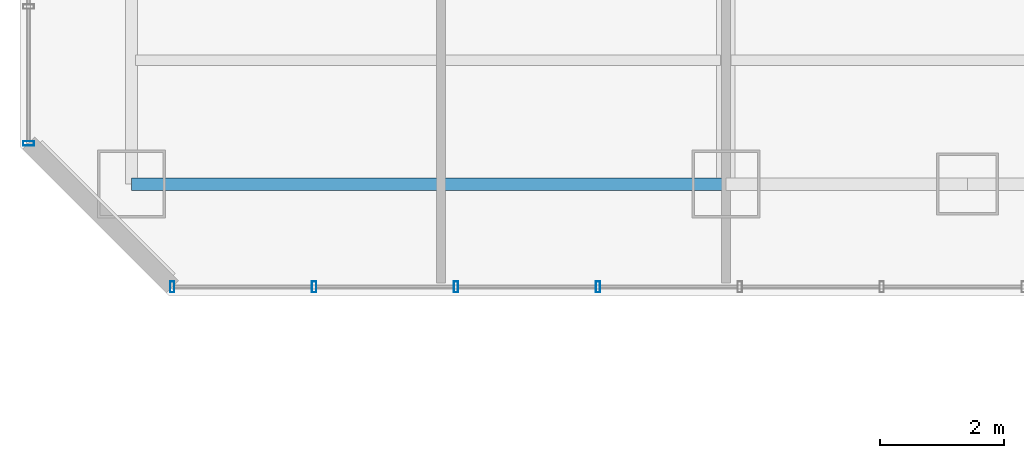
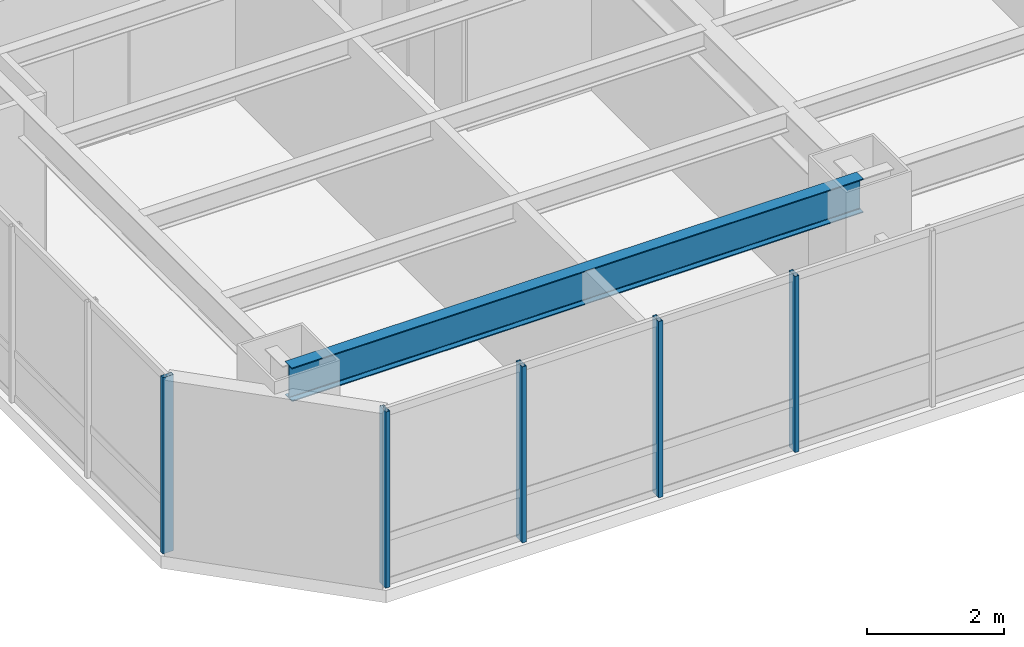
# One storey, part 2 of 37: 5 members, 1 beam, 2 elements without a shape of their own.
"""IFC4 building model written with IfcOpenShell, lengths in metres."""

from ifc_helpers import new_model, si_unit, direction, frame, origin, origin_2d, place, context, subcontext, project, spatial, hollow_rectangle, i_section, extrude, material, layer, layer_set, material_profile, profile_set, type_object, element, aggregate, save


model = new_model("IFC4")

# Units and contexts
model_context = context("Model", 3, precision=1e-05, world=origin(), true_north=direction((0.0, 1.0)))
body_context = subcontext(model_context, "Body", "Model", "MODEL_VIEW")
ifc_project = project(units=[si_unit("LENGTHUNIT", "METRE"), si_unit("AREAUNIT", "SQUARE_METRE"), si_unit("VOLUMEUNIT", "CUBIC_METRE"), si_unit("PLANEANGLEUNIT", "RADIAN"), si_unit("MASSUNIT", "GRAM", prefix="KILO")], contexts=[model_context])

# Site, building, storey
site_placement = place(None, origin())
site = spatial("IfcSite", under=ifc_project, at=site_placement, CompositionType="ELEMENT")
building_placement = place(site_placement, origin())
building = spatial("IfcBuilding", under=site, at=building_placement, Name="Hatsunagi Terrace Concourse", CompositionType="ELEMENT")
storey_placement = place(building_placement, frame((0.0, 0.0, 50.0)))
storey = spatial("IfcBuildingStorey", under=building, at=storey_placement, Name="L12", CompositionType="ELEMENT", Elevation=50.0)

# Curtain wall, members
ifc_material_1 = material(Name="Anodised Aluminium Alloy 6063-T5", Category="aluminium")
ifc_layer = layer(ifc_material_1, 0.199951171875)
ifc_layer_set = layer_set([ifc_layer], Name="HotelFacade_CW02")
curtain_wall_type = type_object("IfcCurtainWallType", Name="HotelFacade_CW02", PredefinedType="NOTDEFINED", material=ifc_layer_set)
curtain_wall_1_placement = place(storey_placement, origin())
curtain_wall_1 = element("IfcCurtainWall", 1, at=curtain_wall_1_placement, inside=storey, type_object=curtain_wall_type, Name="Unitised Curtain Wall CW-02 CW-L12-07", PredefinedType="NOTDEFINED")
ifc_material_2 = material(Name="Anodised Aluminium Alloy 6063-T5", Category="aluminium")
ifc_material_profile_1 = material_profile(ifc_material_2, hollow_rectangle(XDim=0.070068359375, YDim=0.179931640625, WallThickness=0.00390625, at=origin_2d()), Name="ALU-MUL-180x70x4")
ifc_profile_set_1 = profile_set([ifc_material_profile_1], Name="Anodised Aluminium Alloy 6063-T5")
member_type = type_object("IfcMemberType", Name="CurtainWallMullion_180x70", PredefinedType="MULLION", material=ifc_profile_set_1)
member_1_placement = place(storey_placement, frame((9.3330078125, 23.5400390625, 0.0), z_axis=(0.0, 0.0, 1.0), x_axis=(-1.0, 0.0, 0.0)))
member_1 = element("IfcMember", 2, at=member_1_placement, type_object=member_type, Name="Curtain Wall Mullion MUL-02", PredefinedType="MULLION", context=body_context, shape_type="SweptSolid", body=[
    extrude(hollow_rectangle(XDim=0.070068359375, YDim=0.179931640625, WallThickness=0.00390625, at=origin_2d()), origin(), (0.0, 0.0, 1.0), 3.1298828125),
])
member_2_placement = place(storey_placement, frame((7.041015625, 23.5400390625, 0.0), z_axis=(0.0, 0.0, 1.0), x_axis=(-1.0, 0.0, 0.0)))
member_2 = element("IfcMember", 3, at=member_2_placement, type_object=member_type, Name="Curtain Wall Mullion MUL-02", PredefinedType="MULLION", context=body_context, shape_type="SweptSolid", body=[
    extrude(hollow_rectangle(XDim=0.070068359375, YDim=0.179931640625, WallThickness=0.00390625, at=origin_2d()), origin(), (0.0, 0.0, 1.0), 3.1298828125),
])
member_3_placement = place(storey_placement, frame((4.75, 23.5400390625, 0.0), z_axis=(0.0, 0.0, 1.0), x_axis=(-1.0, 0.0, 0.0)))
member_3 = element("IfcMember", 4, at=member_3_placement, type_object=member_type, Name="Curtain Wall Mullion MUL-02", PredefinedType="MULLION", context=body_context, shape_type="SweptSolid", body=[
    extrude(hollow_rectangle(XDim=0.070068359375, YDim=0.179931640625, WallThickness=0.00390625, at=origin_2d()), origin(), (0.0, 0.0, 1.0), 3.1298828125),
])
member_4_placement = place(storey_placement, frame((2.4580078125, 23.5400390625, 0.0), z_axis=(0.0, 0.0, 1.0), x_axis=(-1.0, 0.0, 0.0)))
member_4 = element("IfcMember", 5, at=member_4_placement, type_object=member_type, Name="Curtain Wall Mullion MUL-02", PredefinedType="MULLION", context=body_context, shape_type="SweptSolid", body=[
    extrude(hollow_rectangle(XDim=0.070068359375, YDim=0.179931640625, WallThickness=0.00390625, at=origin_2d()), origin(), (0.0, 0.0, 1.0), 3.1298828125),
])
aggregate(curtain_wall_1, [member_1, member_2, member_3, member_4])

# Curtain wall, member
curtain_wall_2_placement = place(storey_placement, origin())
curtain_wall_2 = element("IfcCurtainWall", 6, at=curtain_wall_2_placement, inside=storey, type_object=curtain_wall_type, Name="Unitised Curtain Wall CW-02 CW-L12-09", PredefinedType="NOTDEFINED")
member_5_placement = place(storey_placement, frame((0.139892578125, 25.85791015625, 0.0), z_axis=(0.0, 0.0, 1.0), x_axis=(0.0, 1.0, 0.0)))
member_5 = element("IfcMember", 7, at=member_5_placement, type_object=member_type, Name="Curtain Wall Mullion MUL-02", PredefinedType="MULLION", context=body_context, shape_type="SweptSolid", body=[
    extrude(hollow_rectangle(XDim=0.070068359375, YDim=0.179931640625, WallThickness=0.00390625, at=origin_2d()), origin(), (0.0, 0.0, 1.0), 3.1298828125),
])
aggregate(curtain_wall_2, [member_5])

# Beam
ifc_material_3 = material(Name="Steel SN490B", Category="steel")
ifc_material_profile_2 = material_profile(ifc_material_3, i_section(OverallWidth=0.199951171875, OverallDepth=0.60009765625, WebThickness=0.010986328125, FlangeThickness=0.01708984375, FilletRadius=0.01806640625, at=origin_2d()), Name="H-600x200x11x17")
ifc_profile_set_2 = profile_set([ifc_material_profile_2], Name="Steel SN490B")
beam_type = type_object("IfcBeamType", Name="PerimeterSpandrel_H_600x200", PredefinedType="SPANDREL", material=ifc_profile_set_2)
beam_placement = place(storey_placement, frame((1.800048828125, 25.199951171875, 2.830078125), z_axis=(1.0, 0.0, 0.0), x_axis=(0.0, 1.0, 0.0)))
element("IfcBeam", 8, at=beam_placement, inside=storey, type_object=beam_type, Name="Beam SP-01 BM-L12-WS-1", PredefinedType="SPANDREL", context=body_context, shape_type="SweptSolid", body=[
    extrude(i_section(OverallWidth=0.199951171875, OverallDepth=0.60009765625, WebThickness=0.010986328125, FlangeThickness=0.01708984375, FilletRadius=0.01806640625, at=origin_2d()), origin(), (0.0, 0.0, 1.0), 9.599853515625),
])

save(model, "model.ifc")
